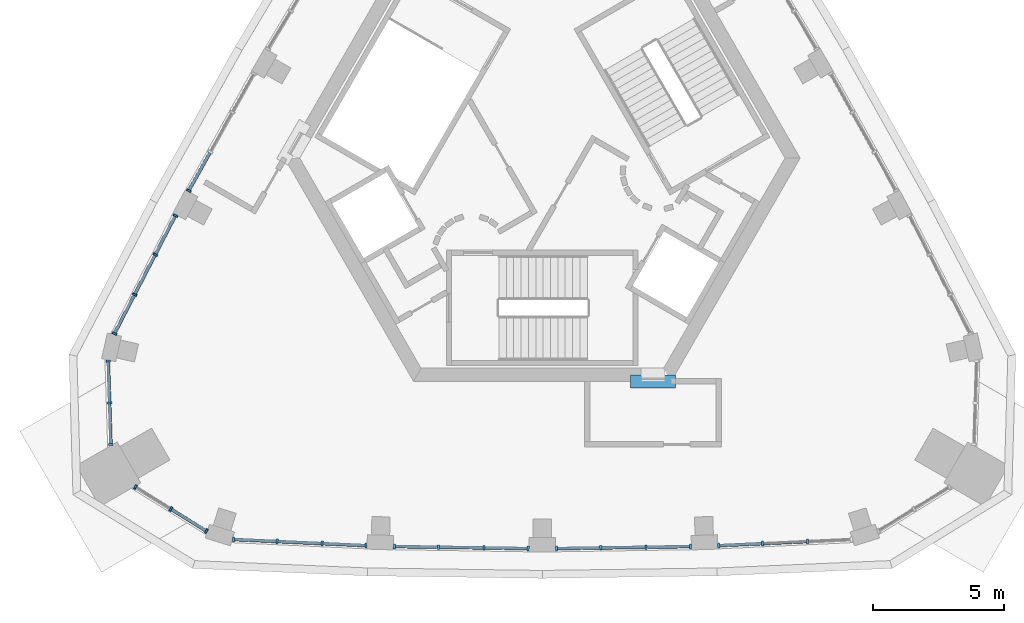
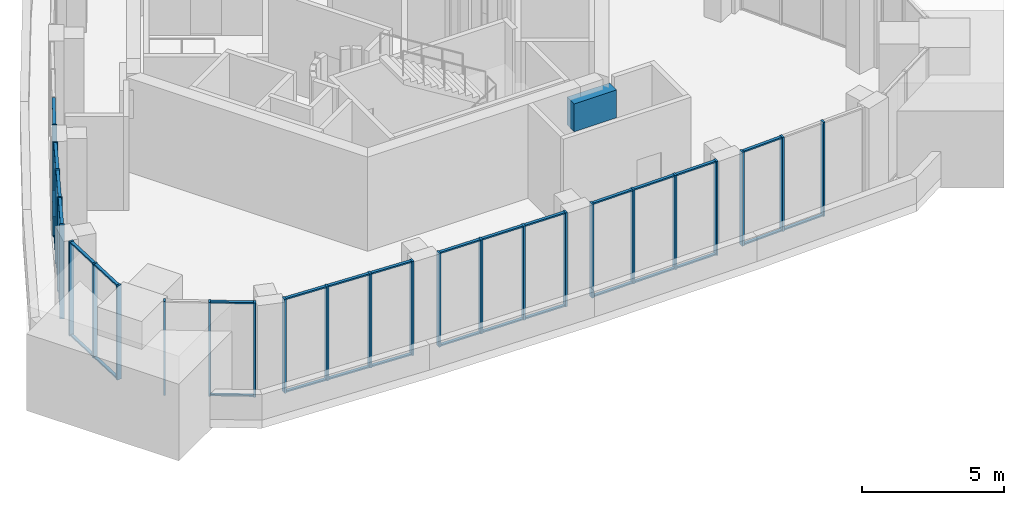
# One storey, part 2 of 9: 61 members, 1 beam, 8 elements without a shape of their own.
"""IFC4 building model written with IfcOpenShell, lengths in metres."""

import ifcopenshell
import ifcopenshell.guid

model = None  # the IFC model being written
_history = None  # IfcOwnerHistory: only IFC2X3 demands one
_inside = {}  # id of a spatial element -> (the spatial element, [elements in it])
_under = {}  # id of a project, library or spatial element -> (it, [spatial elements below it])
_declared = {}  # id of a project -> (the project, [libraries it declares])
_typed = {}  # id of a type object -> (the type object, [elements of that type])
_made_of = {}  # id of a material, layer set ... -> (it, [elements and type objects made of it])


def new_model(schema):
    """Start an empty IFC model of exactly this schema.

    Asked for "IFC4X3", IfcOpenShell would pick the latest addendum, in which some entities
    have other attributes; the version numbers below select the first issue.
    IFC2X3 requires an IfcOwnerHistory on every rooted entity: one is made here for all.
    """
    global model, _history
    if schema == "IFC4X3":
        model = ifcopenshell.file(schema_version=(4, 3, 0, 0))
    else:
        model = ifcopenshell.file(schema=schema)
    _inside.clear()
    _under.clear()
    _declared.clear()
    _typed.clear()
    _made_of.clear()
    _history = None
    if model.schema == "IFC2X3":
        org = make("IfcOrganization", Name="unknown")
        user = make(
            "IfcPersonAndOrganization",
            ThePerson=make("IfcPerson", FamilyName="unknown"),
            TheOrganization=org,
        )
        app = make(
            "IfcApplication",
            ApplicationDeveloper=org,
            Version="unknown",
            ApplicationFullName="unknown",
            ApplicationIdentifier="unknown",
        )
        _history = make(
            "IfcOwnerHistory",
            OwningUser=user,
            OwningApplication=app,
            ChangeAction="ADDED",
            CreationDate=0,
        )
    return model


def make(cls, **values):
    """One entity of the class cls with the attributes given. An attribute that is None is left unset."""
    return model.create_entity(
        cls, **{name: value for name, value in values.items() if value is not None}
    )


def rooted(cls, **values):
    """An entity with a GlobalId (a new one), such as an element, a storey or a relation."""
    return make(cls, GlobalId=ifcopenshell.guid.new(), OwnerHistory=_history, **values)


def si_unit(unit_type, name, prefix=None):
    """IfcSIUnit, for example si_unit("LENGTHUNIT", "METRE", prefix="MILLI")."""
    return make("IfcSIUnit", UnitType=unit_type, Prefix=prefix, Name=name)


def assignment(units):
    """IfcUnitAssignment: the units of a project."""
    return None if units is None else make("IfcUnitAssignment", Units=units)


def point(xyz):
    """IfcCartesianPoint."""
    return None if xyz is None else make("IfcCartesianPoint", Coordinates=xyz)


def direction(xyz):
    """IfcDirection."""
    return None if xyz is None else make("IfcDirection", DirectionRatios=xyz)


def frame(location, z_axis=None, x_axis=None):
    """IfcAxis2Placement3D, a coordinate frame: its origin and axes. An axis left out is left unset."""
    return make(
        "IfcAxis2Placement3D",
        Location=point(location),
        Axis=direction(z_axis),
        RefDirection=direction(x_axis),
    )


def frame_2d(location, x_axis=None):
    """IfcAxis2Placement2D, a coordinate frame in the plane: its origin and x axis."""
    return make(
        "IfcAxis2Placement2D", Location=point(location), RefDirection=direction(x_axis)
    )


def origin():
    """The frame at (0, 0, 0) with its axes left unset."""
    return frame((0.0, 0.0, 0.0))


def origin_2d():
    """The frame at (0, 0) in the plane with its x axis left unset."""
    return frame_2d((0.0, 0.0))


def place(relative_to, where):
    """IfcLocalPlacement: puts the frame where relative to a parent placement (None: the world)."""
    return make(
        "IfcLocalPlacement", PlacementRelTo=relative_to, RelativePlacement=where
    )


def context(
    kind, dimensions, precision=None, world=None, true_north=None, identifier=None
):
    """IfcGeometricRepresentationContext, for example the 3D "Model" context."""
    return make(
        "IfcGeometricRepresentationContext",
        ContextIdentifier=identifier,
        ContextType=kind,
        CoordinateSpaceDimension=dimensions,
        Precision=precision,
        WorldCoordinateSystem=world,
        TrueNorth=true_north,
    )


def subcontext(parent, identifier, kind, view, scale=None):
    """IfcGeometricRepresentationSubContext, for example "Body" below "Model"."""
    return make(
        "IfcGeometricRepresentationSubContext",
        ContextIdentifier=identifier,
        ContextType=kind,
        ParentContext=parent,
        TargetScale=scale,
        TargetView=view,
    )


def project(units=None, contexts=None):
    """IfcProject with its units and contexts."""
    return rooted(
        "IfcProject",
        Name="project",
        RepresentationContexts=contexts,
        UnitsInContext=assignment(units),
    )


def spatial(cls, under=None, at=None, **own):
    """A site, building, storey or space (cls), placed at a placement, below another one or the project."""
    s = rooted(cls, ObjectPlacement=at, **own)
    if under is not None:
        _under.setdefault(under.id(), (under, []))[1].append(s)
    return s


def profile(cls, at=None, kind="AREA", **sizes):
    """A parametric profile (cls). Its sizes go by their IFC names, for example OverallWidth=200.0."""
    return make(cls, ProfileType=kind, Position=at, **sizes)


def rectangle(**sizes):
    """IfcRectangleProfileDef."""
    return profile("IfcRectangleProfileDef", **sizes)


def extrude(swept, where, along, depth):
    """IfcExtrudedAreaSolid: the profile swept, set in the frame where, extruded along a direction by depth."""
    return make(
        "IfcExtrudedAreaSolid",
        SweptArea=swept,
        Position=where,
        ExtrudedDirection=direction(along),
        Depth=depth,
    )


def shape(context_of_items, identifier, shape_type, items):
    """IfcShapeRepresentation: the items that make up one representation, for example the "Body"."""
    return make(
        "IfcShapeRepresentation",
        ContextOfItems=context_of_items,
        RepresentationIdentifier=identifier,
        RepresentationType=shape_type,
        Items=items,
    )


def material(Name=None, Category=None):
    """IfcMaterial."""
    return make("IfcMaterial", Name=Name, Category=Category)


def material_profile(
    of_material, cross_section, Name=None, Category=None, Priority=None
):
    """IfcMaterialProfile: a cross section and its material."""
    return make(
        "IfcMaterialProfile",
        Name=Name,
        Material=of_material,
        Profile=cross_section,
        Priority=Priority,
        Category=Category,
    )


def profile_set(profiles, Name=None, composite=None):
    """IfcMaterialProfileSet."""
    return make(
        "IfcMaterialProfileSet",
        Name=Name,
        MaterialProfiles=profiles,
        CompositeProfile=composite,
    )


def made_of(thing, what):
    """Note that an element or type object is made of a material, layer set ...; save() writes the relation."""
    if what is not None:
        _made_of.setdefault(what.id(), (what, []))[1].append(thing)
    return thing


def type_object(cls, material=None, **own):
    """A type object (cls), such as IfcWallType, which elements share."""
    return made_of(rooted(cls, **own), material)


def element(
    cls,
    number,
    at=None,
    inside=None,
    cuts=None,
    type_object=None,
    material=None,
    context=None,
    identifier="Body",
    shape_type=None,
    held_by="IfcProductDefinitionShape",
    body=None,
    shapes=None,
    **own,
):
    """One element of the class cls, such as IfcWall. Its Tag is "e" and its number.

    at: its placement. inside: the storey or other place that contains it. cuts: it is an
    opening in that element (IfcRelVoidsElement). A single representation is given by context,
    identifier, shape_type and body (its items); several are given by shapes. held_by: the class
    of the entity that holds the representations. save() writes the other relations.
    """
    e = rooted(cls, Tag="e%d" % number, ObjectPlacement=at, **own)
    if body is not None:
        shapes = [shape(context, identifier, shape_type, body)]
    if shapes is not None:
        e.Representation = make(held_by, Representations=shapes)
    if inside is not None:
        _inside.setdefault(inside.id(), (inside, []))[1].append(e)
    if cuts is not None:
        rooted(
            "IfcRelVoidsElement", RelatingBuildingElement=cuts, RelatedOpeningElement=e
        )
    if type_object is not None:
        _typed.setdefault(type_object.id(), (type_object, []))[1].append(e)
    return made_of(e, material)


def aggregate(whole, parts):
    """IfcRelAggregates: a whole, such as a stair, and the parts it consists of."""
    return rooted("IfcRelAggregates", RelatingObject=whole, RelatedObjects=parts)


def save(model, path):
    """Write the relations noted so far, then the file.

    IfcRelAggregates (storeys below a building ...), IfcRelContainedInSpatialStructure (elements
    in a storey), IfcRelDefinesByType, IfcRelAssociatesMaterial and IfcRelDeclares: one each for
    every whole, place, type object, material and project.
    """
    for whole, parts in _under.values():
        aggregate(whole, parts)
    for where, things in _inside.values():
        rooted(
            "IfcRelContainedInSpatialStructure",
            RelatedElements=things,
            RelatingStructure=where,
        )
    for kind, things in _typed.values():
        rooted("IfcRelDefinesByType", RelatedObjects=things, RelatingType=kind)
    for what, things in _made_of.values():
        rooted("IfcRelAssociatesMaterial", RelatedObjects=things, RelatingMaterial=what)
    for by, libraries in _declared.values():
        rooted("IfcRelDeclares", RelatingContext=by, RelatedDefinitions=libraries)
    model.write(path)


model = new_model("IFC4")

# Units and contexts
model_context = context("Model", 3, precision=1e-05, world=origin(), true_north=direction((0.0, 1.0)))
body_context = subcontext(model_context, "Body", "Model", "MODEL_VIEW")
ifc_project = project(units=[si_unit("LENGTHUNIT", "METRE"), si_unit("AREAUNIT", "SQUARE_METRE"), si_unit("VOLUMEUNIT", "CUBIC_METRE"), si_unit("PLANEANGLEUNIT", "RADIAN"), si_unit("MASSUNIT", "GRAM", prefix="KILO")], contexts=[model_context])

# Site, building, storey
site_placement = place(None, origin())
site = spatial("IfcSite", under=ifc_project, at=site_placement, CompositionType="ELEMENT")
building_placement = place(site_placement, origin())
building = spatial("IfcBuilding", under=site, at=building_placement, Name="Entoto Arch Interchange Tower", CompositionType="ELEMENT")
storey_placement = place(building_placement, frame((0.0, 0.0, 358.39990234375)))
storey = spatial("IfcBuildingStorey", under=building, at=storey_placement, Name="L84", CompositionType="ELEMENT", Elevation=358.39990234375)

# Beam
ifc_material_1 = material(Name="Concrete C40/50", Category="concrete")
ifc_material_profile_1 = material_profile(ifc_material_1, rectangle(XDim=0.5, YDim=1.199951171875, at=origin_2d()))
ifc_profile_set_1 = profile_set([ifc_material_profile_1], Name="Concrete C40/50")
beam_type = type_object("IfcBeamType", Name="Coupling beam RC 500x1200 C40/50", PredefinedType="BEAM", material=ifc_profile_set_1)
beam_placement = place(storey_placement, frame((3.35009765625, -6.0, 3.0), z_axis=(1.0, 0.0, 0.0), x_axis=(0.0, 1.0, 0.0)))
element("IfcBeam", 1, at=beam_placement, inside=storey, type_object=beam_type, Name="Coupling beam S L84", PredefinedType="BEAM", context=body_context, shape_type="SweptSolid", body=[
    extrude(rectangle(XDim=0.5, YDim=1.199951171875, at=origin_2d()), origin(), (0.0, 0.0, 1.0), 1.725830078125),
])

# Curtain wall, members
ifc_material_2 = material(Name="Aluminium, anodised", Category="aluminium")
curtain_wall_type = type_object("IfcCurtainWallType", Name="CURTAIN WALL CROWN LANTERN", PredefinedType="NOTDEFINED", material=ifc_material_2)
curtain_wall_1_placement = place(storey_placement, origin())
curtain_wall_1 = element("IfcCurtainWall", 2, at=curtain_wall_1_placement, inside=storey, type_object=curtain_wall_type, Name="Crown Lantern glazing S-01 L84", PredefinedType="NOTDEFINED")
ifc_material_profile_2 = material_profile(ifc_material_2, rectangle(XDim=0.179931640625, YDim=0.080078125, at=origin_2d()))
ifc_profile_set_2 = profile_set([ifc_material_profile_2], Name="Aluminium, anodised")
member_type_1 = type_object("IfcMemberType", Name="MULLION CROWN LANTERN 80x180", PredefinedType="MULLION", material=ifc_profile_set_2)
member_1_placement = place(storey_placement, frame((-11.76708984375, -12.018798828125, 0.0), z_axis=(0.0, 0.0, 1.0), x_axis=(0.046520118358, 0.998917353232, 0.0)))
member_1 = element("IfcMember", 3, at=member_1_placement, type_object=member_type_1, Name="CWL mullion 1", PredefinedType="MULLION", context=body_context, shape_type="SweptSolid", body=[
    extrude(rectangle(XDim=0.179931640625, YDim=0.080078125, at=origin_2d()), origin(), (0.0, 0.0, 1.0), 4.050048828125),
])
member_2_placement = place(storey_placement, frame((-10.096435546875, -12.0966796875, 0.0), z_axis=(0.0, 0.0, 1.0), x_axis=(0.046520118358, 0.998917353232, 0.0)))
member_2 = element("IfcMember", 4, at=member_2_placement, type_object=member_type_1, Name="CWL mullion 2", PredefinedType="MULLION", context=body_context, shape_type="SweptSolid", body=[
    extrude(rectangle(XDim=0.179931640625, YDim=0.080078125, at=origin_2d()), origin(), (0.0, 0.0, 1.0), 4.050048828125),
])
member_3_placement = place(storey_placement, frame((-8.3857421875, -12.17626953125, 0.0), z_axis=(0.0, 0.0, 1.0), x_axis=(0.046520118358, 0.998917353232, 0.0)))
member_3 = element("IfcMember", 5, at=member_3_placement, type_object=member_type_1, Name="CWL mullion 3", PredefinedType="MULLION", context=body_context, shape_type="SweptSolid", body=[
    extrude(rectangle(XDim=0.179931640625, YDim=0.080078125, at=origin_2d()), origin(), (0.0, 0.0, 1.0), 4.050048828125),
])
member_4_placement = place(storey_placement, frame((-6.71484375, -12.254150390625, 0.0), z_axis=(0.0, 0.0, 1.0), x_axis=(0.046520118358, 0.998917353232, 0.0)))
member_4 = element("IfcMember", 6, at=member_4_placement, type_object=member_type_1, Name="CWL mullion 4", PredefinedType="MULLION", context=body_context, shape_type="SweptSolid", body=[
    extrude(rectangle(XDim=0.179931640625, YDim=0.080078125, at=origin_2d()), origin(), (0.0, 0.0, 1.0), 4.050048828125),
])

curtain_wall_2_placement = place(storey_placement, origin())
curtain_wall_2 = element("IfcCurtainWall", 7, at=curtain_wall_2_placement, inside=storey, type_object=curtain_wall_type, Name="Crown Lantern glazing S-02 L84", PredefinedType="NOTDEFINED")
member_5_placement = place(storey_placement, frame((-5.636962890625, -12.28759765625, 0.0), z_axis=(0.0, 0.0, 1.0), x_axis=(0.015448137055, 0.999880670411, 0.0)))
member_5 = element("IfcMember", 8, at=member_5_placement, type_object=member_type_1, Name="CWL mullion 1", PredefinedType="MULLION", context=body_context, shape_type="SweptSolid", body=[
    extrude(rectangle(XDim=0.179931640625, YDim=0.080078125, at=origin_2d()), origin(), (0.0, 0.0, 1.0), 4.050048828125),
])
member_6_placement = place(storey_placement, frame((-3.950927734375, -12.313720703125, 0.0), z_axis=(0.0, 0.0, 1.0), x_axis=(0.015448137055, 0.999880670411, 0.0)))
member_6 = element("IfcMember", 9, at=member_6_placement, type_object=member_type_1, Name="CWL mullion 2", PredefinedType="MULLION", context=body_context, shape_type="SweptSolid", body=[
    extrude(rectangle(XDim=0.179931640625, YDim=0.080078125, at=origin_2d()), origin(), (0.0, 0.0, 1.0), 4.050048828125),
])
member_7_placement = place(storey_placement, frame((-2.22509765625, -12.34033203125, 0.0), z_axis=(0.0, 0.0, 1.0), x_axis=(0.015448137055, 0.999880670411, 0.0)))
member_7 = element("IfcMember", 10, at=member_7_placement, type_object=member_type_1, Name="CWL mullion 3", PredefinedType="MULLION", context=body_context, shape_type="SweptSolid", body=[
    extrude(rectangle(XDim=0.179931640625, YDim=0.080078125, at=origin_2d()), origin(), (0.0, 0.0, 1.0), 4.050048828125),
])
member_8_placement = place(storey_placement, frame((-0.5390625, -12.366455078125, 0.0), z_axis=(0.0, 0.0, 1.0), x_axis=(0.015448137055, 0.999880670411, 0.0)))
member_8 = element("IfcMember", 11, at=member_8_placement, type_object=member_type_1, Name="CWL mullion 4", PredefinedType="MULLION", context=body_context, shape_type="SweptSolid", body=[
    extrude(rectangle(XDim=0.179931640625, YDim=0.080078125, at=origin_2d()), origin(), (0.0, 0.0, 1.0), 4.050048828125),
])

curtain_wall_3_placement = place(storey_placement, origin())
curtain_wall_3 = element("IfcCurtainWall", 12, at=curtain_wall_3_placement, inside=storey, type_object=curtain_wall_type, Name="Crown Lantern glazing S-03 L84", PredefinedType="NOTDEFINED")
member_9_placement = place(storey_placement, frame((0.5390625, -12.366455078125, 0.0), z_axis=(0.0, 0.0, 1.0), x_axis=(-0.015448137055, 0.999880670411, 0.0)))
member_9 = element("IfcMember", 13, at=member_9_placement, type_object=member_type_1, Name="CWL mullion 1", PredefinedType="MULLION", context=body_context, shape_type="SweptSolid", body=[
    extrude(rectangle(XDim=0.179931640625, YDim=0.080078125, at=origin_2d()), origin(), (0.0, 0.0, 1.0), 4.050048828125),
])
member_10_placement = place(storey_placement, frame((2.22509765625, -12.34033203125, 0.0), z_axis=(0.0, 0.0, 1.0), x_axis=(-0.015448137055, 0.999880670411, 0.0)))
member_10 = element("IfcMember", 14, at=member_10_placement, type_object=member_type_1, Name="CWL mullion 2", PredefinedType="MULLION", context=body_context, shape_type="SweptSolid", body=[
    extrude(rectangle(XDim=0.179931640625, YDim=0.080078125, at=origin_2d()), origin(), (0.0, 0.0, 1.0), 4.050048828125),
])
member_11_placement = place(storey_placement, frame((3.950927734375, -12.313720703125, 0.0), z_axis=(0.0, 0.0, 1.0), x_axis=(-0.015448137055, 0.999880670411, 0.0)))
member_11 = element("IfcMember", 15, at=member_11_placement, type_object=member_type_1, Name="CWL mullion 3", PredefinedType="MULLION", context=body_context, shape_type="SweptSolid", body=[
    extrude(rectangle(XDim=0.179931640625, YDim=0.080078125, at=origin_2d()), origin(), (0.0, 0.0, 1.0), 4.050048828125),
])
member_12_placement = place(storey_placement, frame((5.636962890625, -12.28759765625, 0.0), z_axis=(0.0, 0.0, 1.0), x_axis=(-0.015448137055, 0.999880670411, 0.0)))
member_12 = element("IfcMember", 16, at=member_12_placement, type_object=member_type_1, Name="CWL mullion 4", PredefinedType="MULLION", context=body_context, shape_type="SweptSolid", body=[
    extrude(rectangle(XDim=0.179931640625, YDim=0.080078125, at=origin_2d()), origin(), (0.0, 0.0, 1.0), 4.050048828125),
])

curtain_wall_4_placement = place(storey_placement, origin())
curtain_wall_4 = element("IfcCurtainWall", 17, at=curtain_wall_4_placement, inside=storey, type_object=curtain_wall_type, Name="Crown Lantern glazing S-04 L84", PredefinedType="NOTDEFINED")
member_13_placement = place(storey_placement, frame((6.71484375, -12.254150390625, 0.0), z_axis=(0.0, 0.0, 1.0), x_axis=(-0.046520118358, 0.998917353232, 0.0)))
member_13 = element("IfcMember", 18, at=member_13_placement, type_object=member_type_1, Name="CWL mullion 1", PredefinedType="MULLION", context=body_context, shape_type="SweptSolid", body=[
    extrude(rectangle(XDim=0.179931640625, YDim=0.080078125, at=origin_2d()), origin(), (0.0, 0.0, 1.0), 4.050048828125),
])
member_14_placement = place(storey_placement, frame((8.3857421875, -12.17626953125, 0.0), z_axis=(0.0, 0.0, 1.0), x_axis=(-0.046520118358, 0.998917353232, 0.0)))
member_14 = element("IfcMember", 19, at=member_14_placement, type_object=member_type_1, Name="CWL mullion 2", PredefinedType="MULLION", context=body_context, shape_type="SweptSolid", body=[
    extrude(rectangle(XDim=0.179931640625, YDim=0.080078125, at=origin_2d()), origin(), (0.0, 0.0, 1.0), 4.050048828125),
])
member_15_placement = place(storey_placement, frame((10.096435546875, -12.0966796875, 0.0), z_axis=(0.0, 0.0, 1.0), x_axis=(-0.046520118358, 0.998917353232, 0.0)))
member_15 = element("IfcMember", 20, at=member_15_placement, type_object=member_type_1, Name="CWL mullion 3", PredefinedType="MULLION", context=body_context, shape_type="SweptSolid", body=[
    extrude(rectangle(XDim=0.179931640625, YDim=0.080078125, at=origin_2d()), origin(), (0.0, 0.0, 1.0), 4.050048828125),
])

# Curtain wall, member
curtain_wall_5_placement = place(storey_placement, origin())
curtain_wall_5 = element("IfcCurtainWall", 21, at=curtain_wall_5_placement, inside=storey, type_object=curtain_wall_type, Name="Crown Lantern glazing NW-03 L84", PredefinedType="NOTDEFINED")
member_16_placement = place(storey_placement, frame((-13.46142578125, 1.259033203125, 0.0), z_axis=(0.0, 0.0, 1.0), x_axis=(0.873665250263, -0.486527522841, 0.0)))
member_16 = element("IfcMember", 22, at=member_16_placement, type_object=member_type_1, Name="CWL mullion 4", PredefinedType="MULLION", context=body_context, shape_type="SweptSolid", body=[
    extrude(rectangle(XDim=0.179931640625, YDim=0.080078125, at=origin_2d()), origin(), (0.0, 0.0, 1.0), 4.050048828125),
])

# Curtain wall, members
curtain_wall_6_placement = place(storey_placement, origin())
curtain_wall_6 = element("IfcCurtainWall", 23, at=curtain_wall_6_placement, inside=storey, type_object=curtain_wall_type, Name="Crown Lantern glazing NW-04 L84", PredefinedType="NOTDEFINED")
member_17_placement = place(storey_placement, frame((-13.971435546875, 0.3095703125, 0.0), z_axis=(0.0, 0.0, 1.0), x_axis=(0.888469575293, -0.458935522463, 0.0)))
member_17 = element("IfcMember", 24, at=member_17_placement, type_object=member_type_1, Name="CWL mullion 1", PredefinedType="MULLION", context=body_context, shape_type="SweptSolid", body=[
    extrude(rectangle(XDim=0.179931640625, YDim=0.080078125, at=origin_2d()), origin(), (0.0, 0.0, 1.0), 4.050048828125),
])
member_18_placement = place(storey_placement, frame((-14.73876953125, -1.176025390625, 0.0), z_axis=(0.0, 0.0, 1.0), x_axis=(0.888469575293, -0.458935522463, 0.0)))
member_18 = element("IfcMember", 25, at=member_18_placement, type_object=member_type_1, Name="CWL mullion 2", PredefinedType="MULLION", context=body_context, shape_type="SweptSolid", body=[
    extrude(rectangle(XDim=0.179931640625, YDim=0.080078125, at=origin_2d()), origin(), (0.0, 0.0, 1.0), 4.050048828125),
])
member_19_placement = place(storey_placement, frame((-15.5244140625, -2.697021484375, 0.0), z_axis=(0.0, 0.0, 1.0), x_axis=(0.888469575293, -0.458935522463, 0.0)))
member_19 = element("IfcMember", 26, at=member_19_placement, type_object=member_type_1, Name="CWL mullion 3", PredefinedType="MULLION", context=body_context, shape_type="SweptSolid", body=[
    extrude(rectangle(XDim=0.179931640625, YDim=0.080078125, at=origin_2d()), origin(), (0.0, 0.0, 1.0), 4.050048828125),
])
member_20_placement = place(storey_placement, frame((-16.291748046875, -4.182373046875, 0.0), z_axis=(0.0, 0.0, 1.0), x_axis=(0.888469575293, -0.458935522463, 0.0)))
member_20 = element("IfcMember", 27, at=member_20_placement, type_object=member_type_1, Name="CWL mullion 4", PredefinedType="MULLION", context=body_context, shape_type="SweptSolid", body=[
    extrude(rectangle(XDim=0.179931640625, YDim=0.080078125, at=origin_2d()), origin(), (0.0, 0.0, 1.0), 4.050048828125),
])

curtain_wall_7_placement = place(storey_placement, origin())
curtain_wall_7 = element("IfcCurtainWall", 28, at=curtain_wall_7_placement, inside=storey, type_object=curtain_wall_type, Name="Crown Lantern glazing SW-01 L84", PredefinedType="NOTDEFINED")
member_21_placement = place(storey_placement, frame((-16.52978515625, -5.23095703125, 0.0), z_axis=(0.0, 0.0, 1.0), x_axis=(0.999509677246, 0.031311421098, 0.0)))
member_21 = element("IfcMember", 29, at=member_21_placement, type_object=member_type_1, Name="CWL mullion 1", PredefinedType="MULLION", context=body_context, shape_type="SweptSolid", body=[
    extrude(rectangle(XDim=0.179931640625, YDim=0.080078125, at=origin_2d()), origin(), (0.0, 0.0, 1.0), 4.050048828125),
])
member_22_placement = place(storey_placement, frame((-16.47998046875, -6.819091796875, 0.0), z_axis=(0.0, 0.0, 1.0), x_axis=(0.999509677246, 0.031311421098, 0.0)))
member_22 = element("IfcMember", 30, at=member_22_placement, type_object=member_type_1, Name="CWL mullion 2", PredefinedType="MULLION", context=body_context, shape_type="SweptSolid", body=[
    extrude(rectangle(XDim=0.179931640625, YDim=0.080078125, at=origin_2d()), origin(), (0.0, 0.0, 1.0), 4.050048828125),
])
member_23_placement = place(storey_placement, frame((-16.43017578125, -8.406982421875, 0.0), z_axis=(0.0, 0.0, 1.0), x_axis=(0.999509677246, 0.031311421098, 0.0)))
member_23 = element("IfcMember", 31, at=member_23_placement, type_object=member_type_1, Name="CWL mullion 3", PredefinedType="MULLION", context=body_context, shape_type="SweptSolid", body=[
    extrude(rectangle(XDim=0.179931640625, YDim=0.080078125, at=origin_2d()), origin(), (0.0, 0.0, 1.0), 4.050048828125),
])

curtain_wall_8_placement = place(storey_placement, origin())
curtain_wall_8 = element("IfcCurtainWall", 32, at=curtain_wall_8_placement, inside=storey, type_object=curtain_wall_type, Name="Crown Lantern glazing SW-02 L84", PredefinedType="NOTDEFINED")
member_24_placement = place(storey_placement, frame((-15.49609375, -10.026123046875, 0.0), z_axis=(0.0, 0.0, 1.0), x_axis=(0.526629282002, 0.850095053119, 0.0)))
member_24 = element("IfcMember", 33, at=member_24_placement, type_object=member_type_1, Name="CWL mullion 1", PredefinedType="MULLION", context=body_context, shape_type="SweptSolid", body=[
    extrude(rectangle(XDim=0.179931640625, YDim=0.080078125, at=origin_2d()), origin(), (0.0, 0.0, 1.0), 4.050048828125),
])
member_25_placement = place(storey_placement, frame((-14.14501953125, -10.863037109375, 0.0), z_axis=(0.0, 0.0, 1.0), x_axis=(0.526629282002, 0.850095053119, 0.0)))
member_25 = element("IfcMember", 34, at=member_25_placement, type_object=member_type_1, Name="CWL mullion 2", PredefinedType="MULLION", context=body_context, shape_type="SweptSolid", body=[
    extrude(rectangle(XDim=0.179931640625, YDim=0.080078125, at=origin_2d()), origin(), (0.0, 0.0, 1.0), 4.050048828125),
])
member_26_placement = place(storey_placement, frame((-12.7939453125, -11.699951171875, 0.0), z_axis=(0.0, 0.0, 1.0), x_axis=(0.526629282002, 0.850095053119, 0.0)))
member_26 = element("IfcMember", 35, at=member_26_placement, type_object=member_type_1, Name="CWL mullion 3", PredefinedType="MULLION", context=body_context, shape_type="SweptSolid", body=[
    extrude(rectangle(XDim=0.179931640625, YDim=0.080078125, at=origin_2d()), origin(), (0.0, 0.0, 1.0), 4.050048828125),
])

# Member
ifc_material_profile_3 = material_profile(ifc_material_2, rectangle(XDim=0.1201171875, YDim=0.06005859375, at=origin_2d()))
ifc_profile_set_3 = profile_set([ifc_material_profile_3], Name="Aluminium, anodised")
member_type_2 = type_object("IfcMemberType", Name="TRANSOM CROWN LANTERN 60x120", PredefinedType="USERDEFINED", material=ifc_profile_set_3)
member_27_placement = place(storey_placement, frame((-11.72705078125, -12.020751953125, 0.030029296875), z_axis=(0.998920582414, -0.046450726899, 0.0), x_axis=(0.046450726899, 0.998920582414, 0.0)))
member_27 = element("IfcMember", 36, at=member_27_placement, type_object=member_type_2, Name="CWL transom 1.1", ObjectType="TRANSOM", PredefinedType="USERDEFINED", context=body_context, shape_type="SweptSolid", body=[
    extrude(rectangle(XDim=0.1201171875, YDim=0.06005859375, at=origin_2d()), origin(), (0.0, 0.0, 1.0), 1.592529296875),
])

member_28_placement = place(storey_placement, frame((-11.72705078125, -12.020751953125, 4.02001953125), z_axis=(0.998920582414, -0.046450726899, 0.0), x_axis=(0.046450726899, 0.998920582414, 0.0)))
member_28 = element("IfcMember", 37, at=member_28_placement, type_object=member_type_2, Name="CWL transom 1.2", ObjectType="TRANSOM", PredefinedType="USERDEFINED", context=body_context, shape_type="SweptSolid", body=[
    extrude(rectangle(XDim=0.1201171875, YDim=0.06005859375, at=origin_2d()), origin(), (0.0, 0.0, 1.0), 1.592529296875),
])

member_29_placement = place(storey_placement, frame((-10.056396484375, -12.0986328125, 0.030029296875), z_axis=(0.998917986838, -0.046506511064, 0.0), x_axis=(0.046506511064, 0.998917986838, 0.0)))
member_29 = element("IfcMember", 38, at=member_29_placement, type_object=member_type_2, Name="CWL transom 2.1", ObjectType="TRANSOM", PredefinedType="USERDEFINED", context=body_context, shape_type="SweptSolid", body=[
    extrude(rectangle(XDim=0.1201171875, YDim=0.06005859375, at=origin_2d()), origin(), (0.0, 0.0, 1.0), 1.632568359375),
])

member_30_placement = place(storey_placement, frame((-10.056396484375, -12.0986328125, 4.02001953125), z_axis=(0.998917986838, -0.046506511064, 0.0), x_axis=(0.046506511064, 0.998917986838, 0.0)))
member_30 = element("IfcMember", 39, at=member_30_placement, type_object=member_type_2, Name="CWL transom 2.2", ObjectType="TRANSOM", PredefinedType="USERDEFINED", context=body_context, shape_type="SweptSolid", body=[
    extrude(rectangle(XDim=0.1201171875, YDim=0.06005859375, at=origin_2d()), origin(), (0.0, 0.0, 1.0), 1.632568359375),
])

member_31_placement = place(storey_placement, frame((-8.345703125, -12.17822265625, 0.030029296875), z_axis=(0.998920582414, -0.046450726899, 0.0), x_axis=(0.046450726899, 0.998920582414, 0.0)))
member_31 = element("IfcMember", 40, at=member_31_placement, type_object=member_type_2, Name="CWL transom 3.1", ObjectType="TRANSOM", PredefinedType="USERDEFINED", context=body_context, shape_type="SweptSolid", body=[
    extrude(rectangle(XDim=0.1201171875, YDim=0.06005859375, at=origin_2d()), origin(), (0.0, 0.0, 1.0), 1.592529296875),
])

member_32_placement = place(storey_placement, frame((-8.345703125, -12.17822265625, 4.02001953125), z_axis=(0.998920582414, -0.046450726899, 0.0), x_axis=(0.046450726899, 0.998920582414, 0.0)))
member_32 = element("IfcMember", 41, at=member_32_placement, type_object=member_type_2, Name="CWL transom 3.2", ObjectType="TRANSOM", PredefinedType="USERDEFINED", context=body_context, shape_type="SweptSolid", body=[
    extrude(rectangle(XDim=0.1201171875, YDim=0.06005859375, at=origin_2d()), origin(), (0.0, 0.0, 1.0), 1.592529296875),
])

aggregate(curtain_wall_1, [member_1, member_2, member_3, member_4, member_27, member_28, member_29, member_30, member_31, member_32])

member_33_placement = place(storey_placement, frame((-5.596923828125, -12.288330078125, 0.030029296875), z_axis=(0.99988214494, -0.015352401435, 0.0), x_axis=(0.015352401435, 0.99988214494, 0.0)))
member_33 = element("IfcMember", 42, at=member_33_placement, type_object=member_type_2, Name="CWL transom 1.1", ObjectType="TRANSOM", PredefinedType="USERDEFINED", context=body_context, shape_type="SweptSolid", body=[
    extrude(rectangle(XDim=0.1201171875, YDim=0.06005859375, at=origin_2d()), origin(), (0.0, 0.0, 1.0), 1.606201171875),
])

member_34_placement = place(storey_placement, frame((-5.596923828125, -12.288330078125, 4.02001953125), z_axis=(0.99988214494, -0.015352401435, 0.0), x_axis=(0.015352401435, 0.99988214494, 0.0)))
member_34 = element("IfcMember", 43, at=member_34_placement, type_object=member_type_2, Name="CWL transom 1.2", ObjectType="TRANSOM", PredefinedType="USERDEFINED", context=body_context, shape_type="SweptSolid", body=[
    extrude(rectangle(XDim=0.1201171875, YDim=0.06005859375, at=origin_2d()), origin(), (0.0, 0.0, 1.0), 1.606201171875),
])

member_35_placement = place(storey_placement, frame((-3.910888671875, -12.314208984375, 0.030029296875), z_axis=(0.999881045277, -0.015423854748, 0.0), x_axis=(0.015423854748, 0.999881045277, 0.0)))
member_35 = element("IfcMember", 44, at=member_35_placement, type_object=member_type_2, Name="CWL transom 2.1", ObjectType="TRANSOM", PredefinedType="USERDEFINED", context=body_context, shape_type="SweptSolid", body=[
    extrude(rectangle(XDim=0.1201171875, YDim=0.06005859375, at=origin_2d()), origin(), (0.0, 0.0, 1.0), 1.646240234375),
])

member_36_placement = place(storey_placement, frame((-3.910888671875, -12.314208984375, 4.02001953125), z_axis=(0.999881045277, -0.015423854748, 0.0), x_axis=(0.015423854748, 0.999881045277, 0.0)))
member_36 = element("IfcMember", 45, at=member_36_placement, type_object=member_type_2, Name="CWL transom 2.2", ObjectType="TRANSOM", PredefinedType="USERDEFINED", context=body_context, shape_type="SweptSolid", body=[
    extrude(rectangle(XDim=0.1201171875, YDim=0.06005859375, at=origin_2d()), origin(), (0.0, 0.0, 1.0), 1.646240234375),
])

member_37_placement = place(storey_placement, frame((-2.18505859375, -12.341064453125, 0.030029296875), z_axis=(0.99988214494, -0.015352401435, 0.0), x_axis=(0.015352401435, 0.99988214494, 0.0)))
member_37 = element("IfcMember", 46, at=member_37_placement, type_object=member_type_2, Name="CWL transom 3.1", ObjectType="TRANSOM", PredefinedType="USERDEFINED", context=body_context, shape_type="SweptSolid", body=[
    extrude(rectangle(XDim=0.1201171875, YDim=0.06005859375, at=origin_2d()), origin(), (0.0, 0.0, 1.0), 1.606201171875),
])

member_38_placement = place(storey_placement, frame((-2.18505859375, -12.341064453125, 4.02001953125), z_axis=(0.99988214494, -0.015352401435, 0.0), x_axis=(0.015352401435, 0.99988214494, 0.0)))
member_38 = element("IfcMember", 47, at=member_38_placement, type_object=member_type_2, Name="CWL transom 3.2", ObjectType="TRANSOM", PredefinedType="USERDEFINED", context=body_context, shape_type="SweptSolid", body=[
    extrude(rectangle(XDim=0.1201171875, YDim=0.06005859375, at=origin_2d()), origin(), (0.0, 0.0, 1.0), 1.606201171875),
])

aggregate(curtain_wall_2, [member_5, member_6, member_7, member_8, member_33, member_34, member_35, member_36, member_37, member_38])

member_39_placement = place(storey_placement, frame((0.5791015625, -12.36572265625, 0.030029296875), z_axis=(0.99988214494, 0.015352401435, 0.0), x_axis=(-0.015352401435, 0.99988214494, 0.0)))
member_39 = element("IfcMember", 48, at=member_39_placement, type_object=member_type_2, Name="CWL transom 1.1", ObjectType="TRANSOM", PredefinedType="USERDEFINED", context=body_context, shape_type="SweptSolid", body=[
    extrude(rectangle(XDim=0.1201171875, YDim=0.06005859375, at=origin_2d()), origin(), (0.0, 0.0, 1.0), 1.606201171875),
])

member_40_placement = place(storey_placement, frame((0.5791015625, -12.36572265625, 4.02001953125), z_axis=(0.99988214494, 0.015352401435, 0.0), x_axis=(-0.015352401435, 0.99988214494, 0.0)))
member_40 = element("IfcMember", 49, at=member_40_placement, type_object=member_type_2, Name="CWL transom 1.2", ObjectType="TRANSOM", PredefinedType="USERDEFINED", context=body_context, shape_type="SweptSolid", body=[
    extrude(rectangle(XDim=0.1201171875, YDim=0.06005859375, at=origin_2d()), origin(), (0.0, 0.0, 1.0), 1.606201171875),
])

member_41_placement = place(storey_placement, frame((2.264892578125, -12.339599609375, 0.030029296875), z_axis=(0.999881045277, 0.015423854748, 0.0), x_axis=(-0.015423854748, 0.999881045277, 0.0)))
member_41 = element("IfcMember", 50, at=member_41_placement, type_object=member_type_2, Name="CWL transom 2.1", ObjectType="TRANSOM", PredefinedType="USERDEFINED", context=body_context, shape_type="SweptSolid", body=[
    extrude(rectangle(XDim=0.1201171875, YDim=0.06005859375, at=origin_2d()), origin(), (0.0, 0.0, 1.0), 1.646240234375),
])

member_42_placement = place(storey_placement, frame((2.264892578125, -12.339599609375, 4.02001953125), z_axis=(0.999881045277, 0.015423854748, 0.0), x_axis=(-0.015423854748, 0.999881045277, 0.0)))
member_42 = element("IfcMember", 51, at=member_42_placement, type_object=member_type_2, Name="CWL transom 2.2", ObjectType="TRANSOM", PredefinedType="USERDEFINED", context=body_context, shape_type="SweptSolid", body=[
    extrude(rectangle(XDim=0.1201171875, YDim=0.06005859375, at=origin_2d()), origin(), (0.0, 0.0, 1.0), 1.646240234375),
])

member_43_placement = place(storey_placement, frame((3.990966796875, -12.31298828125, 0.030029296875), z_axis=(0.99988214494, 0.015352401435, 0.0), x_axis=(-0.015352401435, 0.99988214494, 0.0)))
member_43 = element("IfcMember", 52, at=member_43_placement, type_object=member_type_2, Name="CWL transom 3.1", ObjectType="TRANSOM", PredefinedType="USERDEFINED", context=body_context, shape_type="SweptSolid", body=[
    extrude(rectangle(XDim=0.1201171875, YDim=0.06005859375, at=origin_2d()), origin(), (0.0, 0.0, 1.0), 1.606201171875),
])

member_44_placement = place(storey_placement, frame((3.990966796875, -12.31298828125, 4.02001953125), z_axis=(0.99988214494, 0.015352401435, 0.0), x_axis=(-0.015352401435, 0.99988214494, 0.0)))
member_44 = element("IfcMember", 53, at=member_44_placement, type_object=member_type_2, Name="CWL transom 3.2", ObjectType="TRANSOM", PredefinedType="USERDEFINED", context=body_context, shape_type="SweptSolid", body=[
    extrude(rectangle(XDim=0.1201171875, YDim=0.06005859375, at=origin_2d()), origin(), (0.0, 0.0, 1.0), 1.606201171875),
])

aggregate(curtain_wall_3, [member_9, member_10, member_11, member_12, member_39, member_40, member_41, member_42, member_43, member_44])

member_45_placement = place(storey_placement, frame((6.7548828125, -12.252197265625, 0.030029296875), z_axis=(0.998920582414, 0.046450726899, 0.0), x_axis=(-0.046450726899, 0.998920582414, 0.0)))
member_45 = element("IfcMember", 54, at=member_45_placement, type_object=member_type_2, Name="CWL transom 1.1", ObjectType="TRANSOM", PredefinedType="USERDEFINED", context=body_context, shape_type="SweptSolid", body=[
    extrude(rectangle(XDim=0.1201171875, YDim=0.06005859375, at=origin_2d()), origin(), (0.0, 0.0, 1.0), 1.592529296875),
])

member_46_placement = place(storey_placement, frame((6.7548828125, -12.252197265625, 4.02001953125), z_axis=(0.998920582414, 0.046450726899, 0.0), x_axis=(-0.046450726899, 0.998920582414, 0.0)))
member_46 = element("IfcMember", 55, at=member_46_placement, type_object=member_type_2, Name="CWL transom 1.2", ObjectType="TRANSOM", PredefinedType="USERDEFINED", context=body_context, shape_type="SweptSolid", body=[
    extrude(rectangle(XDim=0.1201171875, YDim=0.06005859375, at=origin_2d()), origin(), (0.0, 0.0, 1.0), 1.592529296875),
])

member_47_placement = place(storey_placement, frame((8.425537109375, -12.174560546875, 0.030029296875), z_axis=(0.998917986838, 0.046506511064, 0.0), x_axis=(-0.046506511064, 0.998917986838, 0.0)))
member_47 = element("IfcMember", 56, at=member_47_placement, type_object=member_type_2, Name="CWL transom 2.1", ObjectType="TRANSOM", PredefinedType="USERDEFINED", context=body_context, shape_type="SweptSolid", body=[
    extrude(rectangle(XDim=0.1201171875, YDim=0.06005859375, at=origin_2d()), origin(), (0.0, 0.0, 1.0), 1.632568359375),
])

aggregate(curtain_wall_4, [member_13, member_14, member_15, member_45, member_46, member_47])

member_48_placement = place(storey_placement, frame((-12.66015625, 2.697998046875, 0.030029296875), z_axis=(-0.486571321344, -0.873640858274, 0.0), x_axis=(0.873640858274, -0.486571321344, 0.0)))
member_48 = element("IfcMember", 57, at=member_48_placement, type_object=member_type_2, Name="CWL transom 3.1", ObjectType="TRANSOM", PredefinedType="USERDEFINED", context=body_context, shape_type="SweptSolid", body=[
    extrude(rectangle(XDim=0.1201171875, YDim=0.06005859375, at=origin_2d()), origin(), (0.0, 0.0, 1.0), 1.607177734375),
])

member_49_placement = place(storey_placement, frame((-12.66015625, 2.697998046875, 4.02001953125), z_axis=(-0.486571321344, -0.873640858274, 0.0), x_axis=(0.873640858274, -0.486571321344, 0.0)))
member_49 = element("IfcMember", 58, at=member_49_placement, type_object=member_type_2, Name="CWL transom 3.2", ObjectType="TRANSOM", PredefinedType="USERDEFINED", context=body_context, shape_type="SweptSolid", body=[
    extrude(rectangle(XDim=0.1201171875, YDim=0.06005859375, at=origin_2d()), origin(), (0.0, 0.0, 1.0), 1.607177734375),
])

aggregate(curtain_wall_5, [member_16, member_48, member_49])

member_50_placement = place(storey_placement, frame((-13.98974609375, 0.27392578125, 0.030029296875), z_axis=(-0.458892936654, -0.888491571535, 0.0), x_axis=(0.888491571535, -0.458892936654, 0.0)))
member_50 = element("IfcMember", 59, at=member_50_placement, type_object=member_type_2, Name="CWL transom 1.1", ObjectType="TRANSOM", PredefinedType="USERDEFINED", context=body_context, shape_type="SweptSolid", body=[
    extrude(rectangle(XDim=0.1201171875, YDim=0.06005859375, at=origin_2d()), origin(), (0.0, 0.0, 1.0), 1.591796875),
])

member_51_placement = place(storey_placement, frame((-13.98974609375, 0.27392578125, 4.02001953125), z_axis=(-0.458892936654, -0.888491571535, 0.0), x_axis=(0.888491571535, -0.458892936654, 0.0)))
member_51 = element("IfcMember", 60, at=member_51_placement, type_object=member_type_2, Name="CWL transom 1.2", ObjectType="TRANSOM", PredefinedType="USERDEFINED", context=body_context, shape_type="SweptSolid", body=[
    extrude(rectangle(XDim=0.1201171875, YDim=0.06005859375, at=origin_2d()), origin(), (0.0, 0.0, 1.0), 1.591796875),
])

member_52_placement = place(storey_placement, frame((-14.757080078125, -1.21142578125, 0.030029296875), z_axis=(-0.458844883614, -0.888516388583, 0.0), x_axis=(0.888516388583, -0.458844883614, 0.0)))
member_52 = element("IfcMember", 61, at=member_52_placement, type_object=member_type_2, Name="CWL transom 2.1", ObjectType="TRANSOM", PredefinedType="USERDEFINED", context=body_context, shape_type="SweptSolid", body=[
    extrude(rectangle(XDim=0.1201171875, YDim=0.06005859375, at=origin_2d()), origin(), (0.0, 0.0, 1.0), 1.6318359375),
])

member_53_placement = place(storey_placement, frame((-14.757080078125, -1.21142578125, 4.02001953125), z_axis=(-0.458844883614, -0.888516388583, 0.0), x_axis=(0.888516388583, -0.458844883614, 0.0)))
member_53 = element("IfcMember", 62, at=member_53_placement, type_object=member_type_2, Name="CWL transom 2.2", ObjectType="TRANSOM", PredefinedType="USERDEFINED", context=body_context, shape_type="SweptSolid", body=[
    extrude(rectangle(XDim=0.1201171875, YDim=0.06005859375, at=origin_2d()), origin(), (0.0, 0.0, 1.0), 1.6318359375),
])

member_54_placement = place(storey_placement, frame((-15.542724609375, -2.732421875, 0.030029296875), z_axis=(-0.458830410288, -0.888523862704, 0.0), x_axis=(0.888523862704, -0.458830410288, 0.0)))
member_54 = element("IfcMember", 63, at=member_54_placement, type_object=member_type_2, Name="CWL transom 3.1", ObjectType="TRANSOM", PredefinedType="USERDEFINED", context=body_context, shape_type="SweptSolid", body=[
    extrude(rectangle(XDim=0.1201171875, YDim=0.06005859375, at=origin_2d()), origin(), (0.0, 0.0, 1.0), 1.592041015625),
])

member_55_placement = place(storey_placement, frame((-15.542724609375, -2.732421875, 4.02001953125), z_axis=(-0.458830410288, -0.888523862704, 0.0), x_axis=(0.888523862704, -0.458830410288, 0.0)))
member_55 = element("IfcMember", 64, at=member_55_placement, type_object=member_type_2, Name="CWL transom 3.2", ObjectType="TRANSOM", PredefinedType="USERDEFINED", context=body_context, shape_type="SweptSolid", body=[
    extrude(rectangle(XDim=0.1201171875, YDim=0.06005859375, at=origin_2d()), origin(), (0.0, 0.0, 1.0), 1.592041015625),
])

aggregate(curtain_wall_6, [member_17, member_18, member_19, member_20, member_50, member_51, member_52, member_53, member_54, member_55])

member_56_placement = place(storey_placement, frame((-16.528564453125, -5.27099609375, 0.030029296875), z_axis=(0.031391353567, -0.99950717002, 0.0), x_axis=(0.99950717002, 0.031391353567, 0.0)))
member_56 = element("IfcMember", 65, at=member_56_placement, type_object=member_type_2, Name="CWL transom 1.1", ObjectType="TRANSOM", PredefinedType="USERDEFINED", context=body_context, shape_type="SweptSolid", body=[
    extrude(rectangle(XDim=0.1201171875, YDim=0.06005859375, at=origin_2d()), origin(), (0.0, 0.0, 1.0), 1.5087890625),
])

member_57_placement = place(storey_placement, frame((-16.528564453125, -5.27099609375, 4.02001953125), z_axis=(0.031391353567, -0.99950717002, 0.0), x_axis=(0.99950717002, 0.031391353567, 0.0)))
member_57 = element("IfcMember", 66, at=member_57_placement, type_object=member_type_2, Name="CWL transom 1.2", ObjectType="TRANSOM", PredefinedType="USERDEFINED", context=body_context, shape_type="SweptSolid", body=[
    extrude(rectangle(XDim=0.1201171875, YDim=0.06005859375, at=origin_2d()), origin(), (0.0, 0.0, 1.0), 1.5087890625),
])

member_58_placement = place(storey_placement, frame((-16.478759765625, -6.85888671875, 0.030029296875), z_axis=(0.031391353567, -0.99950717002, 0.0), x_axis=(0.99950717002, 0.031391353567, 0.0)))
member_58 = element("IfcMember", 67, at=member_58_placement, type_object=member_type_2, Name="CWL transom 2.1", ObjectType="TRANSOM", PredefinedType="USERDEFINED", context=body_context, shape_type="SweptSolid", body=[
    extrude(rectangle(XDim=0.1201171875, YDim=0.06005859375, at=origin_2d()), origin(), (0.0, 0.0, 1.0), 1.5087890625),
])

member_59_placement = place(storey_placement, frame((-16.478759765625, -6.85888671875, 4.02001953125), z_axis=(0.031391353567, -0.99950717002, 0.0), x_axis=(0.99950717002, 0.031391353567, 0.0)))
member_59 = element("IfcMember", 68, at=member_59_placement, type_object=member_type_2, Name="CWL transom 2.2", ObjectType="TRANSOM", PredefinedType="USERDEFINED", context=body_context, shape_type="SweptSolid", body=[
    extrude(rectangle(XDim=0.1201171875, YDim=0.06005859375, at=origin_2d()), origin(), (0.0, 0.0, 1.0), 1.5087890625),
])

aggregate(curtain_wall_7, [member_21, member_22, member_23, member_56, member_57, member_58, member_59])

member_60_placement = place(storey_placement, frame((-14.111083984375, -10.884033203125, 0.030029296875), z_axis=(0.850054789348, -0.526694271002, 0.0), x_axis=(0.526694271002, 0.850054789348, 0.0)))
member_60 = element("IfcMember", 69, at=member_60_placement, type_object=member_type_2, Name="CWL transom 2.1", ObjectType="TRANSOM", PredefinedType="USERDEFINED", context=body_context, shape_type="SweptSolid", body=[
    extrude(rectangle(XDim=0.1201171875, YDim=0.06005859375, at=origin_2d()), origin(), (0.0, 0.0, 1.0), 1.50927734375),
])

member_61_placement = place(storey_placement, frame((-14.111083984375, -10.884033203125, 4.02001953125), z_axis=(0.850054789348, -0.526694271002, 0.0), x_axis=(0.526694271002, 0.850054789348, 0.0)))
member_61 = element("IfcMember", 70, at=member_61_placement, type_object=member_type_2, Name="CWL transom 2.2", ObjectType="TRANSOM", PredefinedType="USERDEFINED", context=body_context, shape_type="SweptSolid", body=[
    extrude(rectangle(XDim=0.1201171875, YDim=0.06005859375, at=origin_2d()), origin(), (0.0, 0.0, 1.0), 1.50927734375),
])

aggregate(curtain_wall_8, [member_24, member_25, member_26, member_60, member_61])

save(model, "model.ifc")
